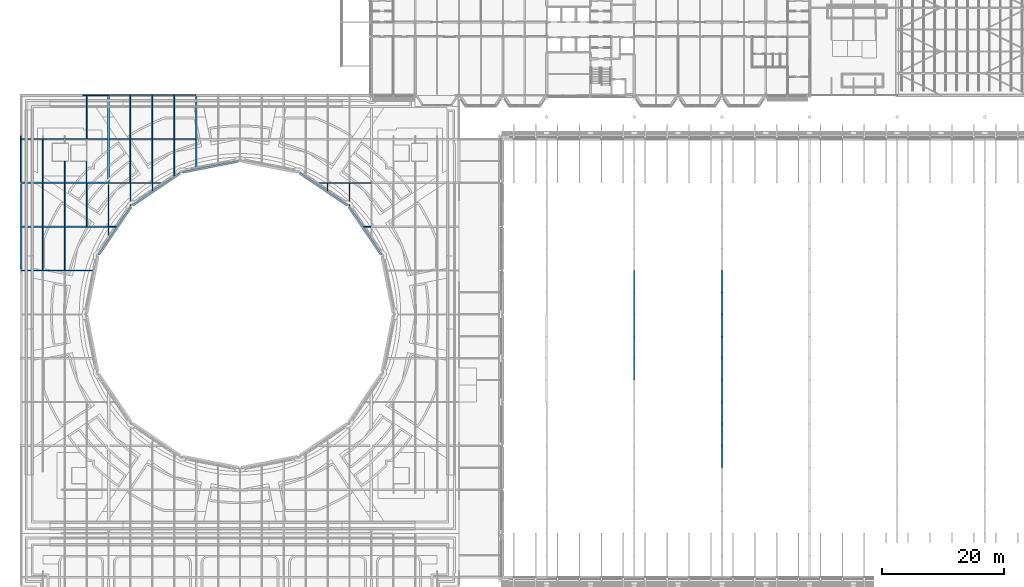
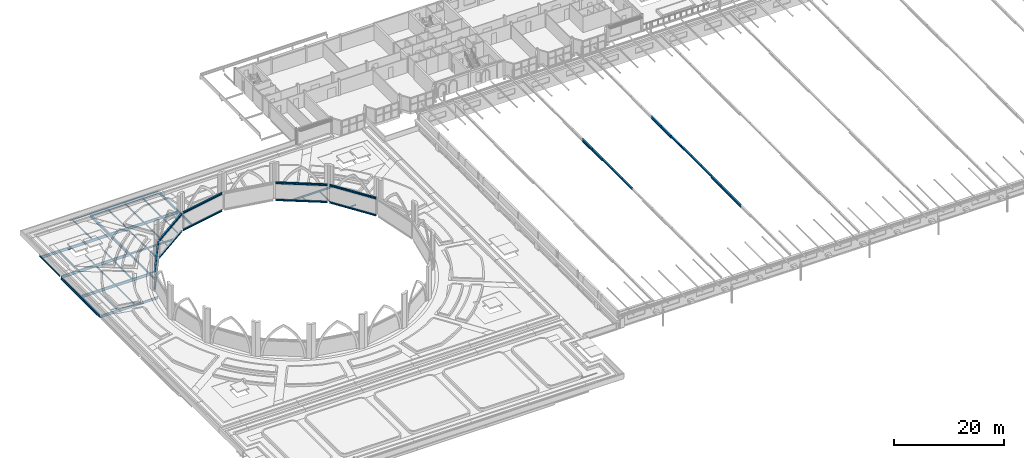
# One storey, part 23 of 110: 45 beams, 14 members.
"""IFC4 building model written with IfcOpenShell, lengths in metres."""

from ifc_helpers import new_model, si_unit, direction, frame, origin, origin_2d, place, context, subcontext, project, spatial, i_section, extrude, material, material_profile, profile_set, type_object, element, save


model = new_model("IFC4")

# Units and contexts
model_context = context("Model", 3, precision=1e-05, world=origin(), true_north=direction((0.0, 1.0)))
body_context = subcontext(model_context, "Body", "Model", "MODEL_VIEW")
ifc_project = project(units=[si_unit("LENGTHUNIT", "METRE"), si_unit("AREAUNIT", "SQUARE_METRE"), si_unit("VOLUMEUNIT", "CUBIC_METRE"), si_unit("PLANEANGLEUNIT", "RADIAN"), si_unit("MASSUNIT", "GRAM", prefix="KILO")], contexts=[model_context])

# Site, building, storey
site_placement = place(None, origin())
site = spatial("IfcSite", under=ifc_project, at=site_placement, CompositionType="ELEMENT")
building_placement = place(site_placement, origin())
building = spatial("IfcBuilding", under=site, at=building_placement, Name="Kupolbacken Congress Centre", CompositionType="ELEMENT")
storey_placement = place(building_placement, frame((0.0, 0.0, 18.0)))
storey = spatial("IfcBuildingStorey", under=building, at=storey_placement, Name="L05", CompositionType="ELEMENT", Elevation=18.0)

# Beams
ifc_material_1 = material(Name="Steel S355", Category="steel")
ifc_material_profile_1 = material_profile(ifc_material_1, i_section(OverallWidth=0.10009765625, OverallDepth=0.199951171875, WebThickness=0.005615234375, FlangeThickness=0.008544921875, FilletRadius=0.011962890625, at=origin_2d()), Name="IPE 200")
ifc_profile_set_1 = profile_set([ifc_material_profile_1], Name="Steel S355")
beam_type_1 = type_object("IfcBeamType", Name="B01 beam IPE 200", PredefinedType="BEAM", material=ifc_profile_set_1)
beam_1_placement = place(storey_placement, frame((21.68994140625, 100.800048828125, -0.280029296875), z_axis=(1.0, 0.0, 0.0), x_axis=(0.0, 1.0, 0.0)))
element("IfcBeam", 1, at=beam_1_placement, inside=storey, type_object=beam_type_1, Name="S/floor/P/L05/R058", PredefinedType="BEAM", context=body_context, shape_type="SweptSolid", body=[
    extrude(i_section(OverallWidth=0.10009765625, OverallDepth=0.199951171875, WebThickness=0.005615234375, FlangeThickness=0.008544921875, FilletRadius=0.011962890625, at=origin_2d()), origin(), (0.0, 0.0, 1.0), 1.200927734375),
])
beam_2_placement = place(storey_placement, frame((63.50927734375, 100.800048828125, -0.280029296875), z_axis=(1.0, 0.0, 0.0), x_axis=(0.0, 1.0, 0.0)))
element("IfcBeam", 2, at=beam_2_placement, inside=storey, type_object=beam_type_1, Name="S/floor/P/L05/R059", PredefinedType="BEAM", context=body_context, shape_type="SweptSolid", body=[
    extrude(i_section(OverallWidth=0.10009765625, OverallDepth=0.199951171875, WebThickness=0.005615234375, FlangeThickness=0.008544921875, FilletRadius=0.011962890625, at=origin_2d()), origin(), (0.0, 0.0, 1.0), 1.20068359375),
])
beam_3_placement = place(storey_placement, frame((14.39990234375, 108.110107421875, -0.280029296875), z_axis=(0.0, 1.0, 0.0), x_axis=(-1.0, 0.0, 0.0)))
element("IfcBeam", 3, at=beam_3_placement, inside=storey, type_object=beam_type_1, Name="S/floor/P/L05/S093", PredefinedType="BEAM", context=body_context, shape_type="SweptSolid", body=[
    extrude(i_section(OverallWidth=0.10009765625, OverallDepth=0.199951171875, WebThickness=0.005615234375, FlangeThickness=0.008544921875, FilletRadius=0.011962890625, at=origin_2d()), origin(), (0.0, 0.0, 1.0), 3.489990234375),
])
for number, where, z_axis, x_axis, name in (
    (4, (28.800048828125, 106.709228515625, -0.280029296875), (0.0, 1.0, 0.0), (-1.0, 0.0, 0.0), "S/floor/P/L05/S105"),
    (5, (57.60009765625, 106.709228515625, -0.280029296875), (0.0, 1.0, 0.0), (-1.0, 0.0, 0.0), "S/floor/P/L05/S131"),
):
    element("IfcBeam", number, at=place(storey_placement, frame(where, z_axis=z_axis, x_axis=x_axis)), inside=storey, type_object=beam_type_1, Name=name, PredefinedType="BEAM", context=body_context, shape_type="SweptSolid", body=[
        extrude(i_section(OverallWidth=0.10009765625, OverallDepth=0.199951171875, WebThickness=0.005615234375, FlangeThickness=0.008544921875, FilletRadius=0.011962890625, at=origin_2d()), origin(), (0.0, 0.0, 1.0), 1.20068359375),
    ])
beam_4_placement = place(storey_placement, frame((18.0, 108.110107421875, -0.280029296875), z_axis=(0.0, 1.0, 0.0), x_axis=(-1.0, 0.0, 0.0)))
element("IfcBeam", 6, at=beam_4_placement, inside=storey, type_object=beam_type_1, Name="S/floor/P/L05/S170", PredefinedType="BEAM", context=body_context, shape_type="SweptSolid", body=[
    extrude(i_section(OverallWidth=0.10009765625, OverallDepth=0.199951171875, WebThickness=0.005615234375, FlangeThickness=0.008544921875, FilletRadius=0.011962890625, at=origin_2d()), origin(), (0.0, 0.0, 1.0), 3.489990234375),
])
ifc_material_2 = material(Name="Steel S355", Category="steel")
ifc_material_profile_2 = material_profile(ifc_material_2, i_section(OverallWidth=0.135009765625, OverallDepth=0.27001953125, WebThickness=0.006591796875, FlangeThickness=0.01025390625, FilletRadius=0.014892578125, at=origin_2d()), Name="IPE 270")
ifc_profile_set_2 = profile_set([ifc_material_profile_2], Name="Steel S355")
beam_type_2 = type_object("IfcBeamType", Name="B03 beam IPE 270", PredefinedType="BEAM", material=ifc_profile_set_2)
beam_5_placement = place(storey_placement, frame((17.324951171875, 122.39990234375, -0.31494140625), z_axis=(1.0, 0.0, 0.0), x_axis=(0.0, 1.0, 0.0)))
element("IfcBeam", 7, at=beam_5_placement, inside=storey, type_object=beam_type_2, Name="S/floor/P/L05/R070", PredefinedType="BEAM", context=body_context, shape_type="SweptSolid", body=[
    extrude(i_section(OverallWidth=0.135009765625, OverallDepth=0.27001953125, WebThickness=0.006591796875, FlangeThickness=0.01025390625, FilletRadius=0.014892578125, at=origin_2d()), origin(), (0.0, 0.0, 1.0), 4.26806640625),
])
beam_6_placement = place(storey_placement, frame((25.199951171875, 104.271728515625, -0.31494140625), z_axis=(0.0, 1.0, 0.0), x_axis=(-1.0, 0.0, 0.0)))
element("IfcBeam", 8, at=beam_6_placement, inside=storey, type_object=beam_type_2, Name="S/floor/P/L05/S099", PredefinedType="BEAM", context=body_context, shape_type="SweptSolid", body=[
    extrude(i_section(OverallWidth=0.135009765625, OverallDepth=0.27001953125, WebThickness=0.006591796875, FlangeThickness=0.01025390625, FilletRadius=0.014892578125, at=origin_2d()), origin(), (0.0, 0.0, 1.0), 3.63818359375),
])
beam_7_placement = place(storey_placement, frame((32.39990234375, 109.150390625, -0.31494140625), z_axis=(0.0, 1.0, 0.0), x_axis=(-1.0, 0.0, 0.0)))
element("IfcBeam", 9, at=beam_7_placement, inside=storey, type_object=beam_type_2, Name="S/floor/P/L05/S110", PredefinedType="BEAM", context=body_context, shape_type="SweptSolid", body=[
    extrude(i_section(OverallWidth=0.135009765625, OverallDepth=0.27001953125, WebThickness=0.006591796875, FlangeThickness=0.01025390625, FilletRadius=0.014892578125, at=origin_2d()), origin(), (0.0, 0.0, 1.0), 5.939697265625),
])
beam_8_placement = place(storey_placement, frame((61.199951171875, 104.271728515625, -0.31494140625), z_axis=(0.0, 1.0, 0.0), x_axis=(-1.0, 0.0, 0.0)))
element("IfcBeam", 10, at=beam_8_placement, inside=storey, type_object=beam_type_2, Name="S/floor/P/L05/S137", PredefinedType="BEAM", context=body_context, shape_type="SweptSolid", body=[
    extrude(i_section(OverallWidth=0.135009765625, OverallDepth=0.27001953125, WebThickness=0.006591796875, FlangeThickness=0.01025390625, FilletRadius=0.014892578125, at=origin_2d()), origin(), (0.0, 0.0, 1.0), 3.63818359375),
])
ifc_material_3 = material(Name="Steel S355", Category="steel")
ifc_material_profile_3 = material_profile(ifc_material_3, i_section(OverallWidth=0.14990234375, OverallDepth=0.300048828125, WebThickness=0.007080078125, FlangeThickness=0.0107421875, FilletRadius=0.014892578125, at=origin_2d()), Name="IPE 300")
ifc_profile_set_3 = profile_set([ifc_material_profile_3], Name="Steel S355")
beam_type_3 = type_object("IfcBeamType", Name="B04 beam IPE 300", PredefinedType="BEAM", material=ifc_profile_set_3)
beam_9_placement = place(storey_placement, frame((10.800048828125, 93.705078125, -0.330078125), z_axis=(0.0, 1.0, 0.0), x_axis=(-1.0, 0.0, 0.0)))
element("IfcBeam", 11, at=beam_9_placement, inside=storey, type_object=beam_type_3, Name="S/floor/P/L05/S081", PredefinedType="BEAM", context=body_context, shape_type="SweptSolid", body=[
    extrude(i_section(OverallWidth=0.14990234375, OverallDepth=0.300048828125, WebThickness=0.007080078125, FlangeThickness=0.0107421875, FilletRadius=0.014892578125, at=origin_2d()), origin(), (0.0, 0.0, 1.0), 6.98486328125),
])
for number, where, z_axis, x_axis, name in (
    (12, (10.800048828125, 100.909912109375, -0.330078125), (0.0, 1.0, 0.0), (-1.0, 0.0, 0.0), "S/floor/P/L05/S082"),
    (13, (10.800048828125, 108.110107421875, -0.330078125), (0.0, 1.0, 0.0), (-1.0, 0.0, 0.0), "S/floor/P/L05/S083"),
):
    element("IfcBeam", number, at=place(storey_placement, frame(where, z_axis=z_axis, x_axis=x_axis)), inside=storey, type_object=beam_type_3, Name=name, PredefinedType="BEAM", context=body_context, shape_type="SweptSolid", body=[
        extrude(i_section(OverallWidth=0.14990234375, OverallDepth=0.300048828125, WebThickness=0.007080078125, FlangeThickness=0.0107421875, FilletRadius=0.014892578125, at=origin_2d()), origin(), (0.0, 0.0, 1.0), 6.97998046875),
    ])
beam_10_placement = place(storey_placement, frame((14.39990234375, 93.705078125, -0.330078125), z_axis=(0.0, 1.0, 0.0), x_axis=(-1.0, 0.0, 0.0)))
element("IfcBeam", 14, at=beam_10_placement, inside=storey, type_object=beam_type_3, Name="S/floor/P/L05/S091", PredefinedType="BEAM", context=body_context, shape_type="SweptSolid", body=[
    extrude(i_section(OverallWidth=0.14990234375, OverallDepth=0.300048828125, WebThickness=0.007080078125, FlangeThickness=0.0107421875, FilletRadius=0.014892578125, at=origin_2d()), origin(), (0.0, 0.0, 1.0), 6.98486328125),
])
beam_11_placement = place(storey_placement, frame((14.39990234375, 100.909912109375, -0.330078125), z_axis=(0.0, 1.0, 0.0), x_axis=(-1.0, 0.0, 0.0)))
element("IfcBeam", 15, at=beam_11_placement, inside=storey, type_object=beam_type_3, Name="S/floor/P/L05/S092", PredefinedType="BEAM", context=body_context, shape_type="SweptSolid", body=[
    extrude(i_section(OverallWidth=0.14990234375, OverallDepth=0.300048828125, WebThickness=0.007080078125, FlangeThickness=0.0107421875, FilletRadius=0.014892578125, at=origin_2d()), origin(), (0.0, 0.0, 1.0), 6.97998046875),
])
beam_12_placement = place(storey_placement, frame((25.199951171875, 108.090087890625, -0.330078125), z_axis=(0.0, 1.0, 0.0), x_axis=(-1.0, 0.0, 0.0)))
element("IfcBeam", 16, at=beam_12_placement, inside=storey, type_object=beam_type_3, Name="S/floor/P/L05/S100", PredefinedType="BEAM", context=body_context, shape_type="SweptSolid", body=[
    extrude(i_section(OverallWidth=0.14990234375, OverallDepth=0.300048828125, WebThickness=0.007080078125, FlangeThickness=0.0107421875, FilletRadius=0.014892578125, at=origin_2d()), origin(), (0.0, 0.0, 1.0), 7.0),
])
beam_13_placement = place(storey_placement, frame((25.199951171875, 115.31005859375, -0.330078125), z_axis=(0.0, 1.0, 0.0), x_axis=(-1.0, 0.0, 0.0)))
element("IfcBeam", 17, at=beam_13_placement, inside=storey, type_object=beam_type_3, Name="S/floor/P/L05/S101", PredefinedType="BEAM", context=body_context, shape_type="SweptSolid", body=[
    extrude(i_section(OverallWidth=0.14990234375, OverallDepth=0.300048828125, WebThickness=0.007080078125, FlangeThickness=0.0107421875, FilletRadius=0.014892578125, at=origin_2d()), origin(), (0.0, 0.0, 1.0), 6.97998046875),
])
beam_14_placement = place(storey_placement, frame((28.800048828125, 108.090087890625, -0.330078125), z_axis=(0.0, 1.0, 0.0), x_axis=(-1.0, 0.0, 0.0)))
element("IfcBeam", 18, at=beam_14_placement, inside=storey, type_object=beam_type_3, Name="S/floor/P/L05/S106", PredefinedType="BEAM", context=body_context, shape_type="SweptSolid", body=[
    extrude(i_section(OverallWidth=0.14990234375, OverallDepth=0.300048828125, WebThickness=0.007080078125, FlangeThickness=0.0107421875, FilletRadius=0.014892578125, at=origin_2d()), origin(), (0.0, 0.0, 1.0), 7.0),
])
for number, where, z_axis, x_axis, name in (
    (19, (28.800048828125, 115.31005859375, -0.330078125), (0.0, 1.0, 0.0), (-1.0, 0.0, 0.0), "S/floor/P/L05/S107"),
    (20, (32.39990234375, 115.31005859375, -0.330078125), (0.0, 1.0, 0.0), (-1.0, 0.0, 0.0), "S/floor/P/L05/S111"),
    (21, (18.0, 100.909912109375, -0.330078125), (0.0, 1.0, 0.0), (-1.0, 0.0, 0.0), "S/floor/P/L05/S169"),
):
    element("IfcBeam", number, at=place(storey_placement, frame(where, z_axis=z_axis, x_axis=x_axis)), inside=storey, type_object=beam_type_3, Name=name, PredefinedType="BEAM", context=body_context, shape_type="SweptSolid", body=[
        extrude(i_section(OverallWidth=0.14990234375, OverallDepth=0.300048828125, WebThickness=0.007080078125, FlangeThickness=0.0107421875, FilletRadius=0.014892578125, at=origin_2d()), origin(), (0.0, 0.0, 1.0), 6.97998046875),
    ])
beam_15_placement = place(storey_placement, frame((18.0, 115.31005859375, -0.330078125), z_axis=(0.0, 1.0, 0.0), x_axis=(-1.0, 0.0, 0.0)))
element("IfcBeam", 22, at=beam_15_placement, inside=storey, type_object=beam_type_3, Name="S/floor/P/L05/S172", PredefinedType="BEAM", context=body_context, shape_type="SweptSolid", body=[
    extrude(i_section(OverallWidth=0.14990234375, OverallDepth=0.300048828125, WebThickness=0.007080078125, FlangeThickness=0.0107421875, FilletRadius=0.014892578125, at=origin_2d()), origin(), (0.0, 0.0, 1.0), 7.0224609375),
])
ifc_material_4 = material(Name="Steel S355", Category="steel")
ifc_material_profile_4 = material_profile(ifc_material_4, i_section(OverallWidth=0.159912109375, OverallDepth=0.330078125, WebThickness=0.007568359375, FlangeThickness=0.011474609375, FilletRadius=0.01806640625, at=origin_2d()), Name="IPE 330")
ifc_profile_set_4 = profile_set([ifc_material_profile_4], Name="Steel S355")
beam_type_4 = type_object("IfcBeamType", Name="B05 beam IPE 330", PredefinedType="BEAM", material=ifc_profile_set_4)
beam_16_placement = place(storey_placement, frame((7.199951171875, 108.22509765625, -0.344970703125), z_axis=(0.0, 1.0, 0.0), x_axis=(-1.0, 0.0, 0.0)))
element("IfcBeam", 23, at=beam_16_placement, inside=storey, type_object=beam_type_4, Name="S/floor/P/L05/G021", PredefinedType="BEAM", context=body_context, shape_type="SweptSolid", body=[
    extrude(i_section(OverallWidth=0.159912109375, OverallDepth=0.330078125, WebThickness=0.007568359375, FlangeThickness=0.011474609375, FilletRadius=0.01806640625, at=origin_2d()), origin(), (0.0, 0.0, 1.0), 7.5498046875),
])
ifc_material_5 = material(Name="Steel S355", Category="steel")
ifc_material_profile_5 = material_profile(ifc_material_5, i_section(OverallWidth=0.179931640625, OverallDepth=0.39990234375, WebThickness=0.008544921875, FlangeThickness=0.013427734375, FilletRadius=0.02099609375, at=origin_2d()), Name="IPE 400")
ifc_profile_set_5 = profile_set([ifc_material_profile_5], Name="Steel S355")
beam_type_5 = type_object("IfcBeamType", Name="B07 beam IPE 400", PredefinedType="BEAM", material=ifc_profile_set_5)
beam_17_placement = place(storey_placement, frame((21.60009765625, 98.970703125, -0.3798828125), z_axis=(0.0, 1.0, 0.0), x_axis=(-1.0, 0.0, 0.0)))
element("IfcBeam", 24, at=beam_17_placement, inside=storey, type_object=beam_type_5, Name="S/floor/P/L05/G023", PredefinedType="BEAM", context=body_context, shape_type="SweptSolid", body=[
    extrude(i_section(OverallWidth=0.179931640625, OverallDepth=0.39990234375, WebThickness=0.008544921875, FlangeThickness=0.013427734375, FilletRadius=0.02099609375, at=origin_2d()), origin(), (0.0, 0.0, 1.0), 8.80419921875),
])
for number, where, z_axis, x_axis, name in (
    (25, (21.60693359375, 108.0, -0.3798828125), (1.0, 0.0, 0.0), (0.0, 1.0, 0.0), "S/floor/P/L05/R062"),
    (26, (55.7705078125, 108.0, -0.3798828125), (1.0, 0.0, 0.0), (0.0, 1.0, 0.0), "S/floor/P/L05/R063"),
):
    element("IfcBeam", number, at=place(storey_placement, frame(where, z_axis=z_axis, x_axis=x_axis)), inside=storey, type_object=beam_type_5, Name=name, PredefinedType="BEAM", context=body_context, shape_type="SweptSolid", body=[
        extrude(i_section(OverallWidth=0.179931640625, OverallDepth=0.39990234375, WebThickness=0.008544921875, FlangeThickness=0.013427734375, FilletRadius=0.02099609375, at=origin_2d()), origin(), (0.0, 0.0, 1.0), 9.0224609375),
    ])
ifc_material_6 = material(Name="Steel S355", Category="steel")
ifc_material_profile_6 = material_profile(ifc_material_6, i_section(OverallWidth=0.2099609375, OverallDepth=0.550048828125, WebThickness=0.010986328125, FlangeThickness=0.01708984375, FilletRadius=0.02392578125, at=origin_2d()), Name="IPE 550")
ifc_profile_set_6 = profile_set([ifc_material_profile_6], Name="Steel S355")
beam_type_6 = type_object("IfcBeamType", Name="B10 beam IPE 550", PredefinedType="BEAM", material=ifc_profile_set_6)
beam_18_placement = place(storey_placement, frame((36.0, 110.35595703125, -0.455078125), z_axis=(0.0, 1.0, 0.0), x_axis=(-1.0, 0.0, 0.0)))
element("IfcBeam", 27, at=beam_18_placement, inside=storey, type_object=beam_type_6, Name="S/floor/P/L05/G026", PredefinedType="BEAM", context=body_context, shape_type="SweptSolid", body=[
    extrude(i_section(OverallWidth=0.2099609375, OverallDepth=0.550048828125, WebThickness=0.010986328125, FlangeThickness=0.01708984375, FilletRadius=0.02392578125, at=origin_2d()), origin(), (0.0, 0.0, 1.0), 11.819091796875),
])
beam_19_placement = place(storey_placement, frame((7.20703125, 93.60009765625, -0.455078125), z_axis=(1.0, 0.0, 0.0), x_axis=(0.0, 1.0, 0.0)))
element("IfcBeam", 28, at=beam_19_placement, inside=storey, type_object=beam_type_6, Name="S/floor/P/L05/R055", PredefinedType="BEAM", context=body_context, shape_type="SweptSolid", body=[
    extrude(i_section(OverallWidth=0.2099609375, OverallDepth=0.550048828125, WebThickness=0.010986328125, FlangeThickness=0.01708984375, FilletRadius=0.02392578125, at=origin_2d()), origin(), (0.0, 0.0, 1.0), 12.037109375),
])
ifc_material_7 = material(Name="Steel S355", Category="steel")
ifc_material_profile_7 = material_profile(ifc_material_7, i_section(OverallWidth=0.219970703125, OverallDepth=0.60009765625, WebThickness=0.011962890625, FlangeThickness=0.01904296875, FilletRadius=0.02392578125, at=origin_2d()), Name="IPE 600")
ifc_profile_set_7 = profile_set([ifc_material_profile_7], Name="Steel S355")
beam_type_7 = type_object("IfcBeamType", Name="B11 beam IPE 600", PredefinedType="BEAM", material=ifc_profile_set_7)
beam_20_placement = place(storey_placement, frame((7.35009765625, 100.800048828125, -0.47998046875), z_axis=(1.0, 0.0, 0.0), x_axis=(0.0, 1.0, 0.0)))
element("IfcBeam", 29, at=beam_20_placement, inside=storey, type_object=beam_type_7, Name="S/floor/P/L05/R057", PredefinedType="BEAM", context=body_context, shape_type="SweptSolid", body=[
    extrude(i_section(OverallWidth=0.219970703125, OverallDepth=0.60009765625, WebThickness=0.011962890625, FlangeThickness=0.01904296875, FilletRadius=0.02392578125, at=origin_2d()), origin(), (0.0, 0.0, 1.0), 14.159912109375),
])
beam_21_placement = place(storey_placement, frame((7.20703125, 108.0, -0.47998046875), z_axis=(1.0, 0.0, 0.0), x_axis=(0.0, 1.0, 0.0)))
element("IfcBeam", 30, at=beam_21_placement, inside=storey, type_object=beam_type_7, Name="S/floor/P/L05/R061", PredefinedType="BEAM", context=body_context, shape_type="SweptSolid", body=[
    extrude(i_section(OverallWidth=0.219970703125, OverallDepth=0.60009765625, WebThickness=0.011962890625, FlangeThickness=0.01904296875, FilletRadius=0.02392578125, at=origin_2d()), origin(), (0.0, 0.0, 1.0), 14.385986328125),
])
beam_22_placement = place(storey_placement, frame((7.280029296875, 115.199951171875, -0.47998046875), z_axis=(1.0, 0.0, 0.0), x_axis=(0.0, 1.0, 0.0)))
element("IfcBeam", 31, at=beam_22_placement, inside=storey, type_object=beam_type_7, Name="S/floor/P/L05/R065", PredefinedType="BEAM", context=body_context, shape_type="SweptSolid", body=[
    extrude(i_section(OverallWidth=0.219970703125, OverallDepth=0.60009765625, WebThickness=0.011962890625, FlangeThickness=0.01904296875, FilletRadius=0.02392578125, at=origin_2d()), origin(), (0.0, 0.0, 1.0), 14.169921875),
])
beam_23_placement = place(storey_placement, frame((21.75, 115.199951171875, -0.47998046875), z_axis=(1.0, 0.0, 0.0), x_axis=(0.0, 1.0, 0.0)))
element("IfcBeam", 32, at=beam_23_placement, inside=storey, type_object=beam_type_7, Name="S/floor/P/L05/R066", PredefinedType="BEAM", context=body_context, shape_type="SweptSolid", body=[
    extrude(i_section(OverallWidth=0.219970703125, OverallDepth=0.60009765625, WebThickness=0.011962890625, FlangeThickness=0.01904296875, FilletRadius=0.02392578125, at=origin_2d()), origin(), (0.0, 0.0, 1.0), 14.14501953125),
])
beam_24_placement = place(storey_placement, frame((21.60693359375, 122.39990234375, -0.47998046875), z_axis=(1.0, 0.0, 0.0), x_axis=(0.0, 1.0, 0.0)))
element("IfcBeam", 33, at=beam_24_placement, inside=storey, type_object=beam_type_7, Name="S/floor/P/L05/R071", PredefinedType="BEAM", context=body_context, shape_type="SweptSolid", body=[
    extrude(i_section(OverallWidth=0.219970703125, OverallDepth=0.60009765625, WebThickness=0.011962890625, FlangeThickness=0.01904296875, FilletRadius=0.02392578125, at=origin_2d()), origin(), (0.0, 0.0, 1.0), 14.385986328125),
])
ifc_material_8 = material(Name="Steel S355", Category="steel")
ifc_material_profile_8 = material_profile(ifc_material_8, i_section(OverallWidth=0.300048828125, OverallDepth=0.35009765625, WebThickness=0.010009765625, FlangeThickness=0.017578125, FilletRadius=0.027099609375, at=origin_2d()), Name="HEA 360")
ifc_profile_set_8 = profile_set([ifc_material_profile_8], Name="Steel S355")
beam_type_8 = type_object("IfcBeamType", Name="B13 beam HEA 360", PredefinedType="BEAM", material=ifc_profile_set_8)
beam_25_placement = place(storey_placement, frame((66.3857421875, 96.21923828125, -0.35498046875), z_axis=(-0.559384311532, 0.828908434034, 0.0), x_axis=(-0.828908434034, -0.559384311532, 0.0)))
element("IfcBeam", 34, at=beam_25_placement, inside=storey, type_object=beam_type_8, Name="S/floor/P/L05/C002", PredefinedType="BEAM", context=body_context, shape_type="SweptSolid", body=[
    extrude(i_section(OverallWidth=0.300048828125, OverallDepth=0.35009765625, WebThickness=0.010009765625, FlangeThickness=0.017578125, FilletRadius=0.027099609375, at=origin_2d()), origin(), (0.0, 0.0, 1.0), 9.424072265625),
])
beam_26_placement = place(storey_placement, frame((60.8310546875, 104.31396484375, -0.35498046875), z_axis=(-0.828896422049, 0.559402110752, 0.0), x_axis=(-0.559402110752, -0.828896422049, 0.0)))
element("IfcBeam", 35, at=beam_26_placement, inside=storey, type_object=beam_type_8, Name="S/floor/P/L05/C003", PredefinedType="BEAM", context=body_context, shape_type="SweptSolid", body=[
    extrude(i_section(OverallWidth=0.300048828125, OverallDepth=0.35009765625, WebThickness=0.010009765625, FlangeThickness=0.017578125, FilletRadius=0.027099609375, at=origin_2d()), origin(), (0.0, 0.0, 1.0), 9.42431640625),
])
beam_27_placement = place(storey_placement, frame((43.0, 111.560546875, -0.35498046875), z_axis=(-0.981165901927, -0.193166956013, 0.0), x_axis=(0.193166956013, -0.981165901927, 0.0)))
element("IfcBeam", 36, at=beam_27_placement, inside=storey, type_object=beam_type_8, Name="S/floor/P/L05/C005", PredefinedType="BEAM", context=body_context, shape_type="SweptSolid", body=[
    extrude(i_section(OverallWidth=0.300048828125, OverallDepth=0.35009765625, WebThickness=0.010009765625, FlangeThickness=0.017578125, FilletRadius=0.027099609375, at=origin_2d()), origin(), (0.0, 0.0, 1.0), 9.42724609375),
])
beam_28_placement = place(storey_placement, frame((33.380859375, 109.5859375, -0.35498046875), z_axis=(-0.828904528397, -0.55939009895, 0.0), x_axis=(0.55939009895, -0.828904528397, 0.0)))
element("IfcBeam", 37, at=beam_28_placement, inside=storey, type_object=beam_type_8, Name="S/floor/P/L05/C006", PredefinedType="BEAM", context=body_context, shape_type="SweptSolid", body=[
    extrude(i_section(OverallWidth=0.300048828125, OverallDepth=0.35009765625, WebThickness=0.010009765625, FlangeThickness=0.017578125, FilletRadius=0.027099609375, at=origin_2d()), origin(), (0.0, 0.0, 1.0), 9.424560546875),
])
beam_29_placement = place(storey_placement, frame((25.2861328125, 104.031005859375, -0.35498046875), z_axis=(-0.559402110752, -0.828896422049, 0.0), x_axis=(0.828896422049, -0.559402110752, 0.0)))
element("IfcBeam", 38, at=beam_29_placement, inside=storey, type_object=beam_type_8, Name="S/floor/P/L05/C007", PredefinedType="BEAM", context=body_context, shape_type="SweptSolid", body=[
    extrude(i_section(OverallWidth=0.300048828125, OverallDepth=0.35009765625, WebThickness=0.010009765625, FlangeThickness=0.017578125, FilletRadius=0.027099609375, at=origin_2d()), origin(), (0.0, 0.0, 1.0), 9.42431640625),
])
ifc_material_9 = material(Name="Steel S355", Category="steel")
ifc_material_profile_9 = material_profile(ifc_material_9, i_section(OverallWidth=0.300048828125, OverallDepth=0.389892578125, WebThickness=0.010986328125, FlangeThickness=0.01904296875, FilletRadius=0.027099609375, at=origin_2d()), Name="HEA 400")
ifc_profile_set_9 = profile_set([ifc_material_profile_9], Name="Steel S355")
beam_type_9 = type_object("IfcBeamType", Name="B14 beam HEA 400", PredefinedType="BEAM", material=ifc_profile_set_9)
for number, where, z_axis, x_axis, name in (
    (39, (66.391357421875, 96.2109375, 3.405029296875), (-0.559386275507, 0.828907108652, 0.0), (-0.828907108652, -0.559386275507, 0.0), "DR/G216/09"),
    (40, (60.83935546875, 104.308349609375, 3.405029296875), (-0.828907108652, 0.559386275507, 0.0), (-0.559386275507, -0.828907108652, 0.0), "DR/G216/10"),
):
    element("IfcBeam", number, at=place(storey_placement, frame(where, z_axis=z_axis, x_axis=x_axis)), inside=storey, type_object=beam_type_9, Name=name, PredefinedType="BEAM", context=body_context, shape_type="SweptSolid", body=[
        extrude(i_section(OverallWidth=0.300048828125, OverallDepth=0.389892578125, WebThickness=0.010986328125, FlangeThickness=0.01904296875, FilletRadius=0.027099609375, at=origin_2d()), origin(), (0.0, 0.0, 1.0), 9.444091796875),
    ])
beam_30_placement = place(storey_placement, frame((43.009765625, 111.5625, 3.405029296875), z_axis=(-0.981165641699, -0.193168277805, 0.0), x_axis=(0.193168277805, -0.981165641699, 0.0)))
element("IfcBeam", 41, at=beam_30_placement, inside=storey, type_object=beam_type_9, Name="DR/G216/12", PredefinedType="BEAM", context=body_context, shape_type="SweptSolid", body=[
    extrude(i_section(OverallWidth=0.300048828125, OverallDepth=0.389892578125, WebThickness=0.010986328125, FlangeThickness=0.01904296875, FilletRadius=0.027099609375, at=origin_2d()), origin(), (0.0, 0.0, 1.0), 9.447509765625),
])
for number, where, z_axis, x_axis, name in (
    (42, (33.38916015625, 109.59130859375, 3.405029296875), (-0.828915197456, -0.559374289208, 0.0), (0.559374289208, -0.828915197456, 0.0), "DR/G216/13"),
    (43, (25.291748046875, 104.039306640625, 3.405029296875), (-0.559404036896, -0.828895122138, 0.0), (0.828895122138, -0.559404036896, 0.0), "DR/G216/14"),
):
    element("IfcBeam", number, at=place(storey_placement, frame(where, z_axis=z_axis, x_axis=x_axis)), inside=storey, type_object=beam_type_9, Name=name, PredefinedType="BEAM", context=body_context, shape_type="SweptSolid", body=[
        extrude(i_section(OverallWidth=0.300048828125, OverallDepth=0.389892578125, WebThickness=0.010986328125, FlangeThickness=0.01904296875, FilletRadius=0.027099609375, at=origin_2d()), origin(), (0.0, 0.0, 1.0), 9.4443359375),
    ])
ifc_material_10 = material(Name="Steel S355", Category="steel")
ifc_material_profile_10 = material_profile(ifc_material_10, i_section(OverallWidth=0.300048828125, OverallDepth=0.60009765625, WebThickness=0.015380859375, FlangeThickness=0.030029296875, FilletRadius=0.027099609375, at=origin_2d()), Name="HEB 600")
ifc_profile_set_10 = profile_set([ifc_material_profile_10], Name="Steel S355")
beam_type_10 = type_object("IfcBeamType", Name="B15 beam HEB 600", PredefinedType="BEAM", material=ifc_profile_set_10)
for number, where, z_axis, x_axis, name in (
    (44, (7.199951171875, 93.824951171875, -0.47998046875), (0.0, 1.0, 0.0), (-1.0, 0.0, 0.0), "S/floor/P/L05/G020"),
    (45, (21.60009765625, 108.22509765625, -0.47998046875), (0.0, 1.0, 0.0), (-1.0, 0.0, 0.0), "S/floor/P/L05/G024"),
):
    element("IfcBeam", number, at=place(storey_placement, frame(where, z_axis=z_axis, x_axis=x_axis)), inside=storey, type_object=beam_type_10, Name=name, PredefinedType="BEAM", context=body_context, shape_type="SweptSolid", body=[
        extrude(i_section(OverallWidth=0.300048828125, OverallDepth=0.60009765625, WebThickness=0.015380859375, FlangeThickness=0.030029296875, FilletRadius=0.027099609375, at=origin_2d()), origin(), (0.0, 0.0, 1.0), 13.949951171875),
    ])

# Members
ifc_material_11 = material(Name="Steel S355", Category="steel")
ifc_material_profile_11 = material_profile(ifc_material_11, i_section(OverallWidth=0.31005859375, OverallDepth=0.340087890625, WebThickness=0.02099609375, FlangeThickness=0.0390625, FilletRadius=0.027099609375, at=origin_2d()), Name="HEM 300")
ifc_profile_set_11 = profile_set([ifc_material_profile_11], Name="Steel S355")
member_type_1 = type_object("IfcMemberType", Name="M01 transfer truss chord HEM 300", PredefinedType="CHORD", material=ifc_profile_set_11)
member_1_placement = place(storey_placement, frame((108.0, 75.60009765625, 3.429931640625), z_axis=(0.0, 1.0, 0.0), x_axis=(-1.0, 0.0, 0.0)))
element("IfcMember", 46, at=member_1_placement, inside=storey, type_object=member_type_1, Name="HT/T2/TC10", PredefinedType="CHORD", context=body_context, shape_type="SweptSolid", body=[
    extrude(i_section(OverallWidth=0.31005859375, OverallDepth=0.340087890625, WebThickness=0.02099609375, FlangeThickness=0.0390625, FilletRadius=0.027099609375, at=origin_2d()), origin(), (0.0, 0.0, 1.0), 3.599853515625),
])
member_2_placement = place(storey_placement, frame((108.0, 79.199951171875, 3.429931640625), z_axis=(0.0, 1.0, 0.0), x_axis=(-1.0, 0.0, 0.0)))
element("IfcMember", 47, at=member_2_placement, inside=storey, type_object=member_type_1, Name="HT/T2/TC11", PredefinedType="CHORD", context=body_context, shape_type="SweptSolid", body=[
    extrude(i_section(OverallWidth=0.31005859375, OverallDepth=0.340087890625, WebThickness=0.02099609375, FlangeThickness=0.0390625, FilletRadius=0.027099609375, at=origin_2d()), origin(), (0.0, 0.0, 1.0), 3.60009765625),
])
member_3_placement = place(storey_placement, frame((108.0, 82.800048828125, 3.429931640625), z_axis=(0.0, 1.0, 0.0), x_axis=(-1.0, 0.0, 0.0)))
element("IfcMember", 48, at=member_3_placement, inside=storey, type_object=member_type_1, Name="HT/T2/TC12", PredefinedType="CHORD", context=body_context, shape_type="SweptSolid", body=[
    extrude(i_section(OverallWidth=0.31005859375, OverallDepth=0.340087890625, WebThickness=0.02099609375, FlangeThickness=0.0390625, FilletRadius=0.027099609375, at=origin_2d()), origin(), (0.0, 0.0, 1.0), 3.599853515625),
])
member_4_placement = place(storey_placement, frame((122.39990234375, 72.0, 3.429931640625), z_axis=(0.0, 1.0, 0.0), x_axis=(-1.0, 0.0, 0.0)))
element("IfcMember", 49, at=member_4_placement, inside=storey, type_object=member_type_1, Name="HT/T3/TC09", PredefinedType="CHORD", context=body_context, shape_type="SweptSolid", body=[
    extrude(i_section(OverallWidth=0.31005859375, OverallDepth=0.340087890625, WebThickness=0.02099609375, FlangeThickness=0.0390625, FilletRadius=0.027099609375, at=origin_2d()), origin(), (0.0, 0.0, 1.0), 3.60009765625),
])
member_5_placement = place(storey_placement, frame((122.39990234375, 75.60009765625, 3.429931640625), z_axis=(0.0, 1.0, 0.0), x_axis=(-1.0, 0.0, 0.0)))
element("IfcMember", 50, at=member_5_placement, inside=storey, type_object=member_type_1, Name="HT/T3/TC10", PredefinedType="CHORD", context=body_context, shape_type="SweptSolid", body=[
    extrude(i_section(OverallWidth=0.31005859375, OverallDepth=0.340087890625, WebThickness=0.02099609375, FlangeThickness=0.0390625, FilletRadius=0.027099609375, at=origin_2d()), origin(), (0.0, 0.0, 1.0), 3.599853515625),
])
member_6_placement = place(storey_placement, frame((122.39990234375, 79.199951171875, 3.429931640625), z_axis=(0.0, 1.0, 0.0), x_axis=(-1.0, 0.0, 0.0)))
element("IfcMember", 51, at=member_6_placement, inside=storey, type_object=member_type_1, Name="HT/T3/TC11", PredefinedType="CHORD", context=body_context, shape_type="SweptSolid", body=[
    extrude(i_section(OverallWidth=0.31005859375, OverallDepth=0.340087890625, WebThickness=0.02099609375, FlangeThickness=0.0390625, FilletRadius=0.027099609375, at=origin_2d()), origin(), (0.0, 0.0, 1.0), 3.60009765625),
])
member_7_placement = place(storey_placement, frame((122.39990234375, 82.800048828125, 3.429931640625), z_axis=(0.0, 1.0, 0.0), x_axis=(-1.0, 0.0, 0.0)))
element("IfcMember", 52, at=member_7_placement, inside=storey, type_object=member_type_1, Name="HT/T3/TC12", PredefinedType="CHORD", context=body_context, shape_type="SweptSolid", body=[
    extrude(i_section(OverallWidth=0.31005859375, OverallDepth=0.340087890625, WebThickness=0.02099609375, FlangeThickness=0.0390625, FilletRadius=0.027099609375, at=origin_2d()), origin(), (0.0, 0.0, 1.0), 3.599853515625),
])
ifc_material_12 = material(Name="Steel S355", Category="steel")
ifc_material_profile_12 = material_profile(ifc_material_12, i_section(OverallWidth=0.300048828125, OverallDepth=0.60009765625, WebThickness=0.015380859375, FlangeThickness=0.030029296875, FilletRadius=0.027099609375, at=origin_2d()), Name="HEB 600")
ifc_profile_set_12 = profile_set([ifc_material_profile_12], Name="Steel S355")
member_type_2 = type_object("IfcMemberType", Name="M02 transfer truss chord HEB 600", PredefinedType="CHORD", material=ifc_profile_set_12)
for number, where, z_axis, x_axis, name in (
    (53, (108.0, 86.39990234375, 3.300048828125), (0.0, 1.0, 0.0), (-1.0, 0.0, 0.0), "HT/T2/TC13"),
    (54, (108.0, 90.0, 3.300048828125), (0.0, 1.0, 0.0), (-1.0, 0.0, 0.0), "HT/T2/TC14"),
    (55, (122.39990234375, 61.199951171875, 3.300048828125), (0.0, 1.0, 0.0), (-1.0, 0.0, 0.0), "HT/T3/TC06"),
):
    element("IfcMember", number, at=place(storey_placement, frame(where, z_axis=z_axis, x_axis=x_axis)), inside=storey, type_object=member_type_2, Name=name, PredefinedType="CHORD", context=body_context, shape_type="SweptSolid", body=[
        extrude(i_section(OverallWidth=0.300048828125, OverallDepth=0.60009765625, WebThickness=0.015380859375, FlangeThickness=0.030029296875, FilletRadius=0.027099609375, at=origin_2d()), origin(), (0.0, 0.0, 1.0), 3.60009765625),
    ])
member_8_placement = place(storey_placement, frame((122.39990234375, 64.800048828125, 3.300048828125), z_axis=(0.0, 1.0, 0.0), x_axis=(-1.0, 0.0, 0.0)))
element("IfcMember", 56, at=member_8_placement, inside=storey, type_object=member_type_2, Name="HT/T3/TC07", PredefinedType="CHORD", context=body_context, shape_type="SweptSolid", body=[
    extrude(i_section(OverallWidth=0.300048828125, OverallDepth=0.60009765625, WebThickness=0.015380859375, FlangeThickness=0.030029296875, FilletRadius=0.027099609375, at=origin_2d()), origin(), (0.0, 0.0, 1.0), 3.599853515625),
])
for number, where, z_axis, x_axis, name in (
    (57, (122.39990234375, 68.39990234375, 3.300048828125), (0.0, 1.0, 0.0), (-1.0, 0.0, 0.0), "HT/T3/TC08"),
    (58, (122.39990234375, 86.39990234375, 3.300048828125), (0.0, 1.0, 0.0), (-1.0, 0.0, 0.0), "HT/T3/TC13"),
    (59, (122.39990234375, 90.0, 3.300048828125), (0.0, 1.0, 0.0), (-1.0, 0.0, 0.0), "HT/T3/TC14"),
):
    element("IfcMember", number, at=place(storey_placement, frame(where, z_axis=z_axis, x_axis=x_axis)), inside=storey, type_object=member_type_2, Name=name, PredefinedType="CHORD", context=body_context, shape_type="SweptSolid", body=[
        extrude(i_section(OverallWidth=0.300048828125, OverallDepth=0.60009765625, WebThickness=0.015380859375, FlangeThickness=0.030029296875, FilletRadius=0.027099609375, at=origin_2d()), origin(), (0.0, 0.0, 1.0), 3.60009765625),
    ])

save(model, "model.ifc")
